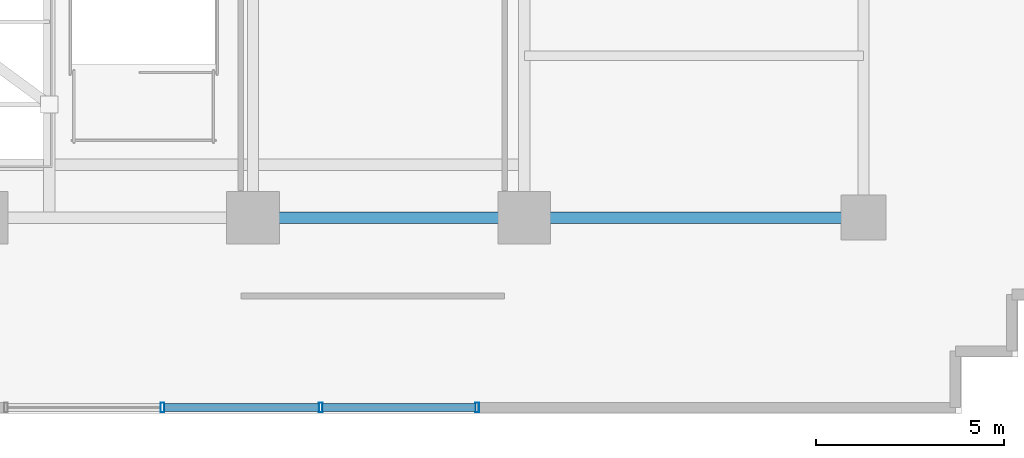
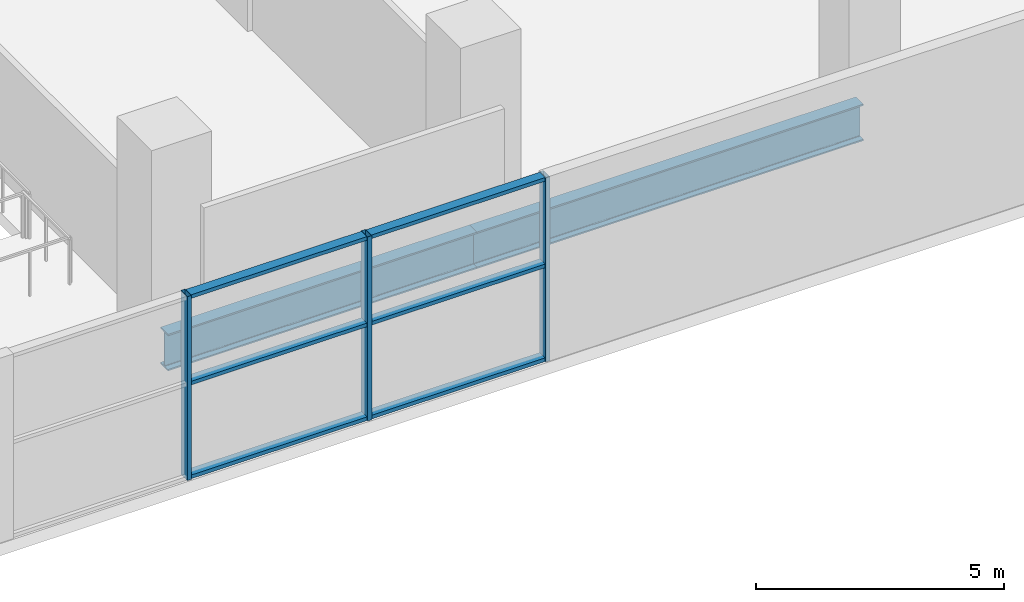
# One storey, part 7 of 22: 9 members, 2 beams, 1 element without a shape of its own.
"""IFC4 building model written with IfcOpenShell, lengths in metres."""

from ifc_helpers import new_model, si_unit, direction, frame, origin, origin_2d, place, context, subcontext, project, spatial, hollow_rectangle, i_section, extrude, source, transform, mapped, material, layer, layer_set, material_profile, profile_set, type_object, element, aggregate, save


model = new_model("IFC4")

# Units and contexts
model_context = context("Model", 3, precision=1e-05, world=origin(), true_north=direction((0.0, 1.0)))
body_context = subcontext(model_context, "Body", "Model", "MODEL_VIEW")
ifc_project = project(units=[si_unit("LENGTHUNIT", "METRE"), si_unit("AREAUNIT", "SQUARE_METRE"), si_unit("VOLUMEUNIT", "CUBIC_METRE"), si_unit("PLANEANGLEUNIT", "RADIAN"), si_unit("MASSUNIT", "GRAM", prefix="KILO")], contexts=[model_context])

# Site, building, storey
site_placement = place(None, origin())
site = spatial("IfcSite", under=ifc_project, at=site_placement, CompositionType="ELEMENT")
building_placement = place(site_placement, origin())
building = spatial("IfcBuilding", under=site, at=building_placement, Name="Zarnakvel Exchange Tower", CompositionType="ELEMENT")
storey_placement = place(building_placement, frame((0.0, 0.0, 22.60009765625)))
storey = spatial("IfcBuildingStorey", under=building, at=storey_placement, Name="L05", CompositionType="ELEMENT", Elevation=22.60009765625)

# Beams
ifc_material_1 = material(Name="Steel S355", Category="steel")
ifc_material_profile_1 = material_profile(ifc_material_1, i_section(OverallWidth=0.300048828125, OverallDepth=0.89990234375, WebThickness=0.0185546875, FlangeThickness=0.034912109375, FilletRadius=0.030029296875, at=origin_2d()))
ifc_profile_set_1 = profile_set([ifc_material_profile_1], Name="Steel S355")
beam_type = type_object("IfcBeamType", Name="G-01", PredefinedType="BEAM", material=ifc_profile_set_1)
beam_1_placement = place(storey_placement, frame((14.39990234375, -18.199951171875, -0.75), z_axis=(1.0, 0.0, 0.0), x_axis=(0.0, 1.0, 0.0)))
element("IfcBeam", 1, at=beam_1_placement, inside=storey, type_object=beam_type, Name="L05 Primary E-W Girder Y=-18.2", PredefinedType="BEAM", context=body_context, shape_type="SweptSolid", body=[
    extrude(i_section(OverallWidth=0.300048828125, OverallDepth=0.89990234375, WebThickness=0.0185546875, FlangeThickness=0.034912109375, FilletRadius=0.030029296875, at=origin_2d()), origin(), (0.0, 0.0, 1.0), 7.2001953125),
])
beam_2_placement = place(storey_placement, frame((21.60009765625, -18.199951171875, -0.75), z_axis=(1.0, 0.0, 0.0), x_axis=(0.0, 1.0, 0.0)))
element("IfcBeam", 2, at=beam_2_placement, inside=storey, type_object=beam_type, Name="L05 Primary E-W Girder Y=-18.2", PredefinedType="BEAM", context=body_context, shape_type="SweptSolid", body=[
    extrude(i_section(OverallWidth=0.300048828125, OverallDepth=0.89990234375, WebThickness=0.0185546875, FlangeThickness=0.034912109375, FilletRadius=0.030029296875, at=origin_2d()), origin(), (0.0, 0.0, 1.0), 9.0),
])

# Curtain wall, members
ifc_material_2 = material(Name="Architectural Bronze Anodised Aluminium", Category="aluminium")
ifc_layer = layer(ifc_material_2, 0.260009765625)
ifc_layer_set = layer_set([ifc_layer], Name="Architectural Bronze Anodised Aluminium")
curtain_wall_type = type_object("IfcCurtainWallType", Name="CW-01", PredefinedType="NOTDEFINED", material=ifc_layer_set)
curtain_wall_placement = place(storey_placement, origin())
curtain_wall = element("IfcCurtainWall", 3, at=curtain_wall_placement, inside=storey, type_object=curtain_wall_type, Name="L05 Curtain Wall CW-L05-S2 (CW-01)", PredefinedType="NOTDEFINED")
ifc_material_profile_2 = material_profile(ifc_material_2, hollow_rectangle(XDim=0.219970703125, YDim=0.090087890625, WallThickness=0.0048828125, at=origin_2d()))
ifc_profile_set_2 = profile_set([ifc_material_profile_2], Name="Architectural Bronze Anodised Aluminium")
member_type_1 = type_object("IfcMemberType", Name="CWT-01", PredefinedType="USERDEFINED", material=ifc_profile_set_2)
shared_shape_1 = source(origin(), body_context, "Body", "SweptSolid", [
    extrude(hollow_rectangle(XDim=0.219970703125, YDim=0.090087890625, WallThickness=0.0048828125, at=origin_2d()), origin(), (0.0, 0.0, 1.0), 4.050048828125),
])
member_1_placement = place(storey_placement, frame((16.25, -23.239990234375, 0.044921875), z_axis=(1.0, 0.0, 0.0), x_axis=(0.0, 1.0, 0.0)))
member_1 = element("IfcMember", 4, at=member_1_placement, type_object=member_type_1, Name="CW-01 transom 3.1", ObjectType="TRANSOM", PredefinedType="USERDEFINED", context=body_context, shape_type="MappedRepresentation", body=[
    mapped(shared_shape_1, transform((0.0, 0.0, 0.0), x_axis=(1.0, 0.0, 0.0), y_axis=(0.0, 1.0, 0.0), z_axis=(0.0, 0.0, 1.0), scale=1.0)),
])
member_2_placement = place(storey_placement, frame((16.25, -23.239990234375, 2.35546875), z_axis=(1.0, 0.0, 0.0), x_axis=(0.0, 1.0, 0.0)))
member_2 = element("IfcMember", 5, at=member_2_placement, type_object=member_type_1, Name="CW-01 transom 3.2", ObjectType="TRANSOM", PredefinedType="USERDEFINED", context=body_context, shape_type="MappedRepresentation", body=[
    mapped(shared_shape_1, transform((0.0, 0.0, 0.0), x_axis=(1.0, 0.0, 0.0), y_axis=(0.0, 1.0, 0.0), z_axis=(0.0, 0.0, 1.0), scale=1.0)),
])
member_3_placement = place(storey_placement, frame((16.25, -23.239990234375, 4.48486328125), z_axis=(1.0, 0.0, 0.0), x_axis=(0.0, 1.0, 0.0)))
member_3 = element("IfcMember", 6, at=member_3_placement, type_object=member_type_1, Name="CW-01 transom 3.3", ObjectType="TRANSOM", PredefinedType="USERDEFINED", context=body_context, shape_type="MappedRepresentation", body=[
    mapped(shared_shape_1, transform((0.0, 0.0, 0.0), x_axis=(1.0, 0.0, 0.0), y_axis=(0.0, 1.0, 0.0), z_axis=(0.0, 0.0, 1.0), scale=1.0)),
])
shared_shape_2 = source(origin(), body_context, "Body", "SweptSolid", [
    extrude(hollow_rectangle(XDim=0.219970703125, YDim=0.090087890625, WallThickness=0.0048828125, at=origin_2d()), origin(), (0.0, 0.0, 1.0), 4.099853515625),
])
member_4_placement = place(storey_placement, frame((12.050048828125, -23.239990234375, 0.044921875), z_axis=(1.0, 0.0, 0.0), x_axis=(0.0, 1.0, 0.0)))
member_4 = element("IfcMember", 7, at=member_4_placement, type_object=member_type_1, Name="CW-01 transom 2.1", ObjectType="TRANSOM", PredefinedType="USERDEFINED", context=body_context, shape_type="MappedRepresentation", body=[
    mapped(shared_shape_2, transform((0.0, 0.0, 0.0), x_axis=(1.0, 0.0, 0.0), y_axis=(0.0, 1.0, 0.0), z_axis=(0.0, 0.0, 1.0), scale=1.0)),
])
member_5_placement = place(storey_placement, frame((12.050048828125, -23.239990234375, 2.35546875), z_axis=(1.0, 0.0, 0.0), x_axis=(0.0, 1.0, 0.0)))
member_5 = element("IfcMember", 8, at=member_5_placement, type_object=member_type_1, Name="CW-01 transom 2.2", ObjectType="TRANSOM", PredefinedType="USERDEFINED", context=body_context, shape_type="MappedRepresentation", body=[
    mapped(shared_shape_2, transform((0.0, 0.0, 0.0), x_axis=(1.0, 0.0, 0.0), y_axis=(0.0, 1.0, 0.0), z_axis=(0.0, 0.0, 1.0), scale=1.0)),
])
member_6_placement = place(storey_placement, frame((12.050048828125, -23.239990234375, 4.48486328125), z_axis=(1.0, 0.0, 0.0), x_axis=(0.0, 1.0, 0.0)))
member_6 = element("IfcMember", 9, at=member_6_placement, type_object=member_type_1, Name="CW-01 transom 2.3", ObjectType="TRANSOM", PredefinedType="USERDEFINED", context=body_context, shape_type="MappedRepresentation", body=[
    mapped(shared_shape_2, transform((0.0, 0.0, 0.0), x_axis=(1.0, 0.0, 0.0), y_axis=(0.0, 1.0, 0.0), z_axis=(0.0, 0.0, 1.0), scale=1.0)),
])
ifc_material_profile_3 = material_profile(ifc_material_2, hollow_rectangle(XDim=0.260009765625, YDim=0.10009765625, WallThickness=0.006103515625, at=origin_2d()))
ifc_profile_set_3 = profile_set([ifc_material_profile_3], Name="Architectural Bronze Anodised Aluminium")
member_type_2 = type_object("IfcMemberType", Name="CWM-01", PredefinedType="MULLION", material=ifc_profile_set_3)
shared_shape_3 = source(origin(), body_context, "Body", "SweptSolid", [
    extrude(hollow_rectangle(XDim=0.260009765625, YDim=0.10009765625, WallThickness=0.006103515625, at=origin_2d()), origin(), (0.0, 0.0, 1.0), 4.52978515625),
])
member_7_placement = place(storey_placement, frame((12.0, -23.239990234375, 0.0), z_axis=(0.0, 0.0, 1.0), x_axis=(0.0, 1.0, 0.0)))
member_7 = element("IfcMember", 10, at=member_7_placement, type_object=member_type_2, Name="CW-01 mullion 2", PredefinedType="MULLION", context=body_context, shape_type="MappedRepresentation", body=[
    mapped(shared_shape_3, transform((0.0, 0.0, 0.0), x_axis=(1.0, 0.0, 0.0), y_axis=(0.0, 1.0, 0.0), z_axis=(0.0, 0.0, 1.0), scale=1.0)),
])
member_8_placement = place(storey_placement, frame((16.199951171875, -23.239990234375, 0.0), z_axis=(0.0, 0.0, 1.0), x_axis=(0.0, 1.0, 0.0)))
member_8 = element("IfcMember", 11, at=member_8_placement, type_object=member_type_2, Name="CW-01 mullion 3", PredefinedType="MULLION", context=body_context, shape_type="MappedRepresentation", body=[
    mapped(shared_shape_3, transform((0.0, 0.0, 0.0), x_axis=(1.0, 0.0, 0.0), y_axis=(0.0, 1.0, 0.0), z_axis=(0.0, 0.0, 1.0), scale=1.0)),
])
member_9_placement = place(storey_placement, frame((20.35009765625, -23.239990234375, 0.0), z_axis=(0.0, 0.0, 1.0), x_axis=(0.0, 1.0, 0.0)))
member_9 = element("IfcMember", 12, at=member_9_placement, type_object=member_type_2, Name="CW-01 mullion 4", PredefinedType="MULLION", context=body_context, shape_type="MappedRepresentation", body=[
    mapped(shared_shape_3, transform((0.0, 0.0, 0.0), x_axis=(1.0, 0.0, 0.0), y_axis=(0.0, 1.0, 0.0), z_axis=(0.0, 0.0, 1.0), scale=1.0)),
])
aggregate(curtain_wall, [member_7, member_8, member_9, member_4, member_5, member_6, member_1, member_2, member_3])

save(model, "model.ifc")
